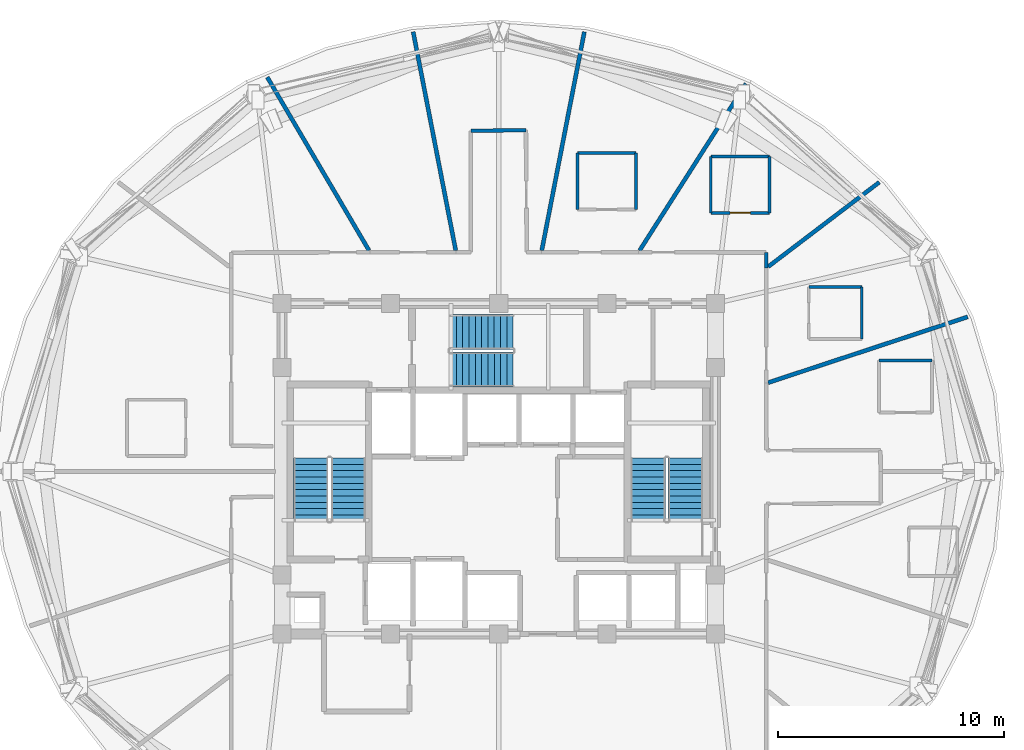
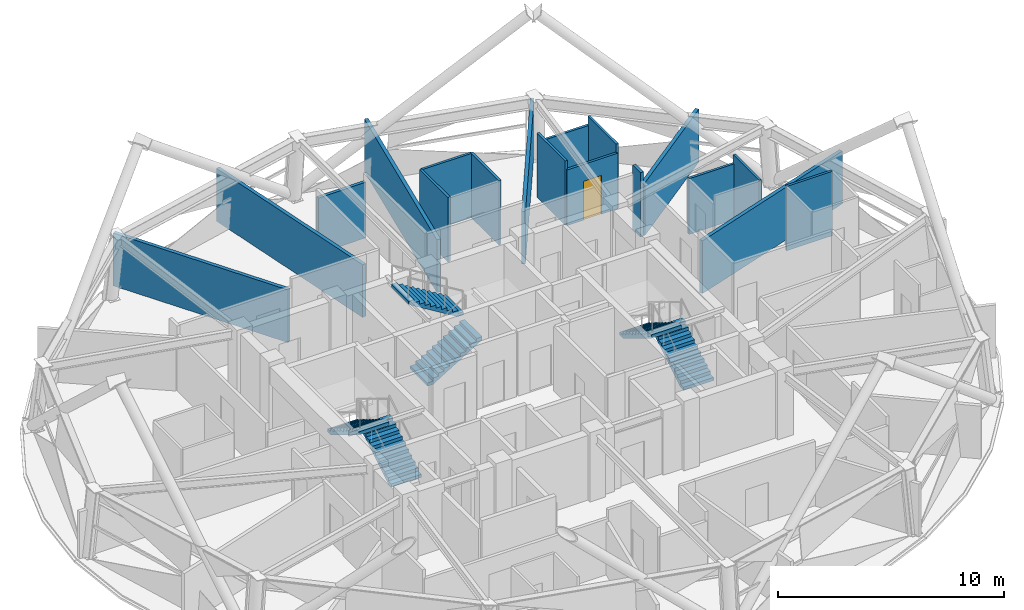
# One storey, part 8 of 12: 18 walls, 6 stair flights, 1 door, 1 opening, 3 elements without a shape of their own.
"""IFC4 building model written with IfcOpenShell, lengths in metres."""

from ifc_helpers import new_model, si_unit, direction, frame, frame_2d, origin, place, context, subcontext, project, spatial, polyline, rectangle, outline, extrude, material, layer, layer_set, type_object, element, fill, aggregate, save


model = new_model("IFC4")

# Units and contexts
model_context = context("Model", 3, precision=1e-05, world=origin(), true_north=direction((0.0, 1.0)))
body_context = subcontext(model_context, "Body", "Model", "MODEL_VIEW")
ifc_project = project(units=[si_unit("LENGTHUNIT", "METRE"), si_unit("AREAUNIT", "SQUARE_METRE"), si_unit("VOLUMEUNIT", "CUBIC_METRE"), si_unit("PLANEANGLEUNIT", "RADIAN"), si_unit("MASSUNIT", "GRAM", prefix="KILO")], contexts=[model_context])

# Site, building, storey
site_placement = place(None, origin())
site = spatial("IfcSite", under=ifc_project, at=site_placement, CompositionType="ELEMENT")
building_placement = place(site_placement, origin())
building = spatial("IfcBuilding", under=site, at=building_placement, Name="Vantalir Tower", CompositionType="ELEMENT")
storey_placement = place(building_placement, frame((0.0, 0.0, 249.89990234375)))
storey = spatial("IfcBuildingStorey", under=building, at=storey_placement, Name="L63", CompositionType="ELEMENT", Elevation=249.89990234375)

# Walls
ifc_material_1 = material(Name="Moisture-resistant en-suite partition", Category="gypsum")
ifc_layer_1 = layer(ifc_material_1, 0.125)
ifc_layer_set_1 = layer_set([ifc_layer_1], Name="Moisture-resistant en-suite partition")
wall_type_1 = type_object("IfcWallType", Name="WL-BATH-125", PredefinedType="PARTITIONING", material=ifc_layer_set_1)
wall_1_placement = place(storey_placement, frame((45.241943359375, 33.1689453125, 0.0), z_axis=(0.0, 0.0, 1.0), x_axis=(1.0, 0.0, 0.0)))
element("IfcWall", 1, at=wall_1_placement, inside=storey, type_object=wall_type_1, Name="L63 En-suite 01 North Wall", PredefinedType="PARTITIONING", context=body_context, shape_type="SweptSolid", body=[
    extrude(rectangle(XDim=2.35009765625, YDim=0.125, at=frame_2d((1.175048828125, 0.0))), origin(), (0.0, 0.0, 1.0), 3.01220703125),
])
wall_2_placement = place(storey_placement, frame((47.592041015625, 30.868896484375, 0.0), z_axis=(0.0, 0.0, 1.0), x_axis=(0.0, 1.0, 0.0)))
element("IfcWall", 2, at=wall_2_placement, inside=storey, type_object=wall_type_1, Name="L63 En-suite 01 East Wall", PredefinedType="PARTITIONING", context=body_context, shape_type="SweptSolid", body=[
    extrude(rectangle(XDim=2.300048828125, YDim=0.125, at=frame_2d((1.14990234375, 0.0))), origin(), (0.0, 0.0, 1.0), 3.47998046875),
])

# Wall, opening, door
wall_3_placement = place(storey_placement, frame((40.89892578125, 36.4609375, 0.0), z_axis=(0.0, 0.0, 1.0), x_axis=(1.0, 0.0, 0.0)))
wall_3 = element("IfcWall", 3, at=wall_3_placement, inside=storey, type_object=wall_type_1, Name="L63 En-suite 02 South Wall", PredefinedType="PARTITIONING", context=body_context, shape_type="SweptSolid", body=[
    extrude(rectangle(XDim=2.60009765625, YDim=0.125, at=frame_2d((1.300048828125, 0.0))), origin(), (0.0, 0.0, 1.0), 3.01220703125),
])
opening_placement = place(wall_3_placement, frame((0.85009765625, 0.0, 0.0)))
opening = element("IfcOpeningElement", 4, at=opening_placement, cuts=wall_3, Name="Opening D-WC", PredefinedType="OPENING", context=body_context, shape_type="SweptSolid", body=[
    extrude(rectangle(XDim=0.89990234375, YDim=2.10009765625, at=frame_2d((0.449951171875, 1.050048828125))), frame((0.0, 0.072509765625, 0.0), z_axis=(0.0, -1.0, 0.0), x_axis=(1.0, 0.0, 0.0)), (0.0, 0.0, 1.0), 0.14501953125),
])
ifc_material_2 = material(Name="Moisture-resistant hardwood door", Category="wood")
door_type = type_object("IfcDoorType", Name="DR-ENSUITE-900", OperationType="NOTDEFINED", PredefinedType="DOOR", material=ifc_material_2)
door_placement = place(opening_placement, origin())
door = element("IfcDoor", 5, at=door_placement, inside=storey, type_object=door_type, Name="L63 En-suite 02 Door", OperationType="SINGLE_SWING_RIGHT", OverallHeight=2.10009765625, OverallWidth=0.89990234375, PredefinedType="DOOR", context=body_context, shape_type="SweptSolid", body=[
    extrude(rectangle(XDim=0.89990234375, YDim=2.10009765625, at=frame_2d((0.449951171875, 1.050048828125))), frame((0.0, 0.02490234375, 0.0), z_axis=(0.0, -1.0, 0.0), x_axis=(1.0, 0.0, 0.0)), (0.0, 0.0, 1.0), 0.050048828125),
])
fill(opening, door)

# Walls
wall_4_placement = place(storey_placement, frame((40.89892578125, 38.9609375, 0.0), z_axis=(0.0, 0.0, 1.0), x_axis=(1.0, 0.0, 0.0)))
element("IfcWall", 6, at=wall_4_placement, inside=storey, type_object=wall_type_1, Name="L63 En-suite 02 North Wall", PredefinedType="PARTITIONING", context=body_context, shape_type="SweptSolid", body=[
    extrude(rectangle(XDim=2.60009765625, YDim=0.125, at=frame_2d((1.300048828125, 0.0))), origin(), (0.0, 0.0, 1.0), 3.01220703125),
])
for number, where, z_axis, x_axis, name in (
    (7, (40.89892578125, 36.4609375, 0.0), (0.0, 0.0, 1.0), (0.0, 1.0, 0.0), "L63 En-suite 02 West Wall"),
    (8, (43.4990234375, 36.4609375, 0.0), (0.0, 0.0, 1.0), (0.0, 1.0, 0.0), "L63 En-suite 02 East Wall"),
):
    element("IfcWall", number, at=place(storey_placement, frame(where, z_axis=z_axis, x_axis=x_axis)), inside=storey, type_object=wall_type_1, Name=name, PredefinedType="PARTITIONING", context=body_context, shape_type="SweptSolid", body=[
        extrude(rectangle(XDim=2.5, YDim=0.125, at=frame_2d((1.25, 0.0))), origin(), (0.0, 0.0, 1.0), 3.47998046875),
    ])
wall_5_placement = place(storey_placement, frame((34.989013671875, 39.110107421875, 0.0), z_axis=(0.0, 0.0, 1.0), x_axis=(1.0, 0.0, 0.0)))
element("IfcWall", 9, at=wall_5_placement, inside=storey, type_object=wall_type_1, Name="L63 En-suite 03 North Wall", PredefinedType="PARTITIONING", context=body_context, shape_type="SweptSolid", body=[
    extrude(rectangle(XDim=2.60009765625, YDim=0.125, at=frame_2d((1.300048828125, 0.0))), origin(), (0.0, 0.0, 1.0), 3.47998046875),
])
for number, where, z_axis, x_axis, name in (
    (10, (34.989013671875, 36.610107421875, 0.0), (0.0, 0.0, 1.0), (0.0, 1.0, 0.0), "L63 En-suite 03 West Wall"),
    (11, (37.589111328125, 36.610107421875, 0.0), (0.0, 0.0, 1.0), (0.0, 1.0, 0.0), "L63 En-suite 03 East Wall"),
):
    element("IfcWall", number, at=place(storey_placement, frame(where, z_axis=z_axis, x_axis=x_axis)), inside=storey, type_object=wall_type_1, Name=name, PredefinedType="PARTITIONING", context=body_context, shape_type="SweptSolid", body=[
        extrude(rectangle(XDim=2.5, YDim=0.125, at=frame_2d((1.25, 0.0))), origin(), (0.0, 0.0, 1.0), 3.47998046875),
    ])
wall_6_placement = place(storey_placement, frame((48.35400390625, 29.9130859375, 0.0), z_axis=(0.0, 0.0, 1.0), x_axis=(1.0, 0.0, 0.0)))
element("IfcWall", 12, at=wall_6_placement, inside=storey, type_object=wall_type_1, Name="L63 En-suite 16 North Wall", PredefinedType="PARTITIONING", context=body_context, shape_type="SweptSolid", body=[
    extrude(rectangle(XDim=2.35009765625, YDim=0.125, at=frame_2d((1.175048828125, 0.0))), origin(), (0.0, 0.0, 1.0), 3.47998046875),
])
ifc_material_3 = material(Name="Fire-rated hotel corridor acoustic partition", Category="gypsum")
ifc_layer_2 = layer(ifc_material_3, 0.159912109375)
ifc_layer_set_2 = layer_set([ifc_layer_2], Name="Fire-rated hotel corridor acoustic partition")
wall_type_2 = type_object("IfcWallType", Name="WL-CORR-160", PredefinedType="PARTITIONING", material=ifc_layer_set_2)
wall_7_placement = place(storey_placement, frame((30.262939453125, 40.097900390625, 0.0), z_axis=(0.0, 0.0, 1.0), x_axis=(0.999946948611, 0.010300483619, 0.0)))
element("IfcWall", 13, at=wall_7_placement, inside=storey, type_object=wall_type_2, Name="L63 Corridor Partition 08", PredefinedType="PARTITIONING", context=body_context, shape_type="SweptSolid", body=[
    extrude(rectangle(XDim=2.44140625, YDim=0.159912109375, at=frame_2d((1.220703125, 0.0))), origin(), (0.0, 0.0, 1.0), 3.01220703125),
])
wall_8_placement = place(storey_placement, frame((43.35302734375, 34.702880859375, 0.0), z_axis=(0.0, 0.0, 1.0), x_axis=(0.001405479989, -0.999999012313, 0.0)))
element("IfcWall", 14, at=wall_8_placement, inside=storey, type_object=wall_type_2, Name="L63 Corridor Partition 13", PredefinedType="PARTITIONING", context=body_context, shape_type="SweptSolid", body=[
    extrude(rectangle(XDim=0.69482421875, YDim=0.159912109375, at=frame_2d((0.347412109375, 0.0))), origin(), (0.0, 0.0, 1.0), 3.47998046875),
])
ifc_material_4 = material(Name="Twin-stud acoustic fire-rated gypsum partition", Category="gypsum")
ifc_layer_3 = layer(ifc_material_4, 0.179931640625)
ifc_layer_set_3 = layer_set([ifc_layer_3], Name="Twin-stud acoustic fire-rated gypsum partition")
wall_type_3 = type_object("IfcWallType", Name="WL-GUEST-180", PredefinedType="PARTITIONING", material=ifc_layer_set_3)
wall_9_placement = place(storey_placement, frame((43.43994140625, 28.93505859375, 0.0), z_axis=(0.0, 0.0, 1.0), x_axis=(0.949729147415, 0.313072749613, 0.0)))
element("IfcWall", 15, at=wall_9_placement, inside=storey, type_object=wall_type_3, Name="L63 Radial Suite Partition 01", PredefinedType="PARTITIONING", context=body_context, shape_type="SweptSolid", body=[
    extrude(rectangle(XDim=9.314208984375, YDim=0.179931640625, at=frame_2d((4.6572265625, 0.0))), origin(), (0.0, 0.0, 1.0), 2.85498046875),
])
wall_10_placement = place(storey_placement, frame((43.43994140625, 34.072998046875, 0.0), z_axis=(0.0, 0.0, 1.0), x_axis=(0.796115821465, 0.605144279336, 0.0)))
element("IfcWall", 16, at=wall_10_placement, inside=storey, type_object=wall_type_3, Name="L63 Radial Suite Partition 02", PredefinedType="PARTITIONING", context=body_context, shape_type="SweptSolid", body=[
    extrude(rectangle(XDim=6.188720703125, YDim=0.179931640625, at=frame_2d((3.09423828125, 0.0))), origin(), (0.0, 0.0, 1.0), 2.85498046875),
])
wall_11_placement = place(storey_placement, frame((37.740966796875, 34.7900390625, 0.0), z_axis=(0.0, 0.0, 1.0), x_axis=(0.537619190812, 0.843187764185, 0.0)))
element("IfcWall", 17, at=wall_11_placement, inside=storey, type_object=wall_type_3, Name="L63 Radial Suite Partition 03", PredefinedType="PARTITIONING", context=body_context, shape_type="SweptSolid", body=[
    extrude(rectangle(XDim=8.770263671875, YDim=0.179931640625, at=frame_2d((4.38525390625, 0.0))), origin(), (0.0, 0.0, 1.0), 2.85498046875),
])
for number, where, z_axis, x_axis, name in (
    (18, (33.406005859375, 34.7900390625, 0.0), (0.0, 0.0, 1.0), (0.191123016198, 0.981566091855, 0.0), "L63 Radial Suite Partition 04"),
    (19, (29.593994140625, 34.7900390625, 0.0), (0.0, 0.0, 1.0), (-0.191123016198, 0.981566091855, 0.0), "L63 Radial Suite Partition 05"),
):
    element("IfcWall", number, at=place(storey_placement, frame(where, z_axis=z_axis, x_axis=x_axis)), inside=storey, type_object=wall_type_3, Name=name, PredefinedType="PARTITIONING", context=body_context, shape_type="SweptSolid", body=[
        extrude(rectangle(XDim=9.878173828125, YDim=0.179931640625, at=frame_2d((4.93896484375, 0.0))), origin(), (0.0, 0.0, 1.0), 2.85498046875),
    ])
wall_12_placement = place(storey_placement, frame((25.751953125, 34.7900390625, 0.0), z_axis=(0.0, 0.0, 1.0), x_axis=(-0.50634586345, 0.8623304857, 0.0)))
element("IfcWall", 20, at=wall_12_placement, inside=storey, type_object=wall_type_3, Name="L63 Radial Suite Partition 06", PredefinedType="PARTITIONING", context=body_context, shape_type="SweptSolid", body=[
    extrude(rectangle(XDim=8.910888671875, YDim=0.179931640625, at=frame_2d((4.45556640625, 0.0))), origin(), (0.0, 0.0, 1.0), 2.85498046875),
])

# Stair, stair flights
ifc_material_5 = material(Name="Concrete C40/50", Category="concrete")
stair_type = type_object("IfcStairType", Name="STR-CORE-1450", PredefinedType="HALF_TURN_STAIR", material=ifc_material_5)
stair_1_placement = place(storey_placement, origin())
stair_1 = element("IfcStair", 21, at=stair_1_placement, inside=storey, type_object=stair_type, Name="L63 Core Exit Stair 1", PredefinedType="HALF_TURN_STAIR")
stair_flight_type = type_object("IfcStairFlightType", Name="FLT-CORE-1450", PredefinedType="STRAIGHT", material=ifc_material_5)
stair_flight_1_placement = place(storey_placement, frame((24.830078125, 22.7900390625, 0.0), z_axis=(0.0, 0.0, 1.0), x_axis=(0.0, 1.0, 0.0)))
stair_flight_1 = element("IfcStairFlight", 22, at=stair_flight_1_placement, type_object=stair_flight_type, Name="ST1 flight 1", NumberOfRisers=11, NumberOfTreads=10, PredefinedType="STRAIGHT", RiserHeight=0.170454545, TreadLength=0.28, context=body_context, shape_type="SweptSolid", body=[
    extrude(outline(polyline([(0.0, 0.0), (0.0, 0.17041015625), (0.280029296875, 0.17041015625), (0.280029296875, 0.3408203125), (0.56005859375, 0.3408203125), (0.56005859375, 0.511474609375), (0.840087890625, 0.511474609375), (0.840087890625, 0.681884765625), (1.1201171875, 0.681884765625), (1.1201171875, 0.852294921875), (1.39990234375, 0.852294921875), (1.39990234375, 1.022705078125), (1.679931640625, 1.022705078125), (1.679931640625, 1.193115234375), (1.9599609375, 1.193115234375), (1.9599609375, 1.363525390625), (2.239990234375, 1.363525390625), (2.239990234375, 1.5341796875), (2.52001953125, 1.5341796875), (2.52001953125, 1.70458984375), (2.800048828125, 1.70458984375), (2.800048828125, 1.875), (2.800048828125, 1.529052734375), (0.288330078125, 0.0), (0.0, 0.0)])), frame((0.0, 0.77001953125, 0.0), z_axis=(0.0, -1.0, 0.0), x_axis=(1.0, 0.0, 0.0)), (0.0, 0.0, 1.0), 1.5400390625),
])
stair_flight_2_placement = place(storey_placement, frame((23.169921875, 25.590087890625, 1.875), z_axis=(0.0, 0.0, 1.0), x_axis=(0.0, -1.0, 0.0)))
stair_flight_2 = element("IfcStairFlight", 23, at=stair_flight_2_placement, type_object=stair_flight_type, Name="ST1 flight 2", NumberOfRisers=11, NumberOfTreads=10, PredefinedType="STRAIGHT", RiserHeight=0.170454545, TreadLength=0.28, context=body_context, shape_type="SweptSolid", body=[
    extrude(outline(polyline([(0.0, 0.0), (0.0, 0.17041015625), (0.280029296875, 0.17041015625), (0.280029296875, 0.3408203125), (0.56005859375, 0.3408203125), (0.56005859375, 0.511474609375), (0.840087890625, 0.511474609375), (0.840087890625, 0.681884765625), (1.1201171875, 0.681884765625), (1.1201171875, 0.852294921875), (1.39990234375, 0.852294921875), (1.39990234375, 1.022705078125), (1.679931640625, 1.022705078125), (1.679931640625, 1.193115234375), (1.9599609375, 1.193115234375), (1.9599609375, 1.363525390625), (2.239990234375, 1.363525390625), (2.239990234375, 1.5341796875), (2.52001953125, 1.5341796875), (2.52001953125, 1.70458984375), (2.800048828125, 1.70458984375), (2.800048828125, 1.875), (2.800048828125, 1.529052734375), (0.288330078125, 0.0), (0.0, 0.0)])), frame((0.0, 0.77001953125, 0.0), z_axis=(0.0, -1.0, 0.0), x_axis=(1.0, 0.0, 0.0)), (0.0, 0.0, 1.0), 1.5400390625),
])
aggregate(stair_1, [stair_flight_1, stair_flight_2])

stair_2_placement = place(storey_placement, origin())
stair_2 = element("IfcStair", 24, at=stair_2_placement, inside=storey, type_object=stair_type, Name="L63 Core Exit Stair 2", PredefinedType="HALF_TURN_STAIR")
stair_flight_3_placement = place(storey_placement, frame((39.780029296875, 22.7900390625, 0.0), z_axis=(0.0, 0.0, 1.0), x_axis=(0.0, 1.0, 0.0)))
stair_flight_3 = element("IfcStairFlight", 25, at=stair_flight_3_placement, type_object=stair_flight_type, Name="ST2 flight 1", NumberOfRisers=11, NumberOfTreads=10, PredefinedType="STRAIGHT", RiserHeight=0.170454545, TreadLength=0.28, context=body_context, shape_type="SweptSolid", body=[
    extrude(outline(polyline([(0.0, 0.0), (0.0, 0.17041015625), (0.280029296875, 0.17041015625), (0.280029296875, 0.3408203125), (0.56005859375, 0.3408203125), (0.56005859375, 0.511474609375), (0.840087890625, 0.511474609375), (0.840087890625, 0.681884765625), (1.1201171875, 0.681884765625), (1.1201171875, 0.852294921875), (1.39990234375, 0.852294921875), (1.39990234375, 1.022705078125), (1.679931640625, 1.022705078125), (1.679931640625, 1.193115234375), (1.9599609375, 1.193115234375), (1.9599609375, 1.363525390625), (2.239990234375, 1.363525390625), (2.239990234375, 1.5341796875), (2.52001953125, 1.5341796875), (2.52001953125, 1.70458984375), (2.800048828125, 1.70458984375), (2.800048828125, 1.875), (2.800048828125, 1.529052734375), (0.288330078125, 0.0), (0.0, 0.0)])), frame((0.0, 0.77001953125, 0.0), z_axis=(0.0, -1.0, 0.0), x_axis=(1.0, 0.0, 0.0)), (0.0, 0.0, 1.0), 1.5400390625),
])
stair_flight_4_placement = place(storey_placement, frame((38.1201171875, 25.590087890625, 1.875), z_axis=(0.0, 0.0, 1.0), x_axis=(0.0, -1.0, 0.0)))
stair_flight_4 = element("IfcStairFlight", 26, at=stair_flight_4_placement, type_object=stair_flight_type, Name="ST2 flight 2", NumberOfRisers=11, NumberOfTreads=10, PredefinedType="STRAIGHT", RiserHeight=0.170454545, TreadLength=0.28, context=body_context, shape_type="SweptSolid", body=[
    extrude(outline(polyline([(0.0, 0.0), (0.0, 0.17041015625), (0.280029296875, 0.17041015625), (0.280029296875, 0.3408203125), (0.56005859375, 0.3408203125), (0.56005859375, 0.511474609375), (0.840087890625, 0.511474609375), (0.840087890625, 0.681884765625), (1.1201171875, 0.681884765625), (1.1201171875, 0.852294921875), (1.39990234375, 0.852294921875), (1.39990234375, 1.022705078125), (1.679931640625, 1.022705078125), (1.679931640625, 1.193115234375), (1.9599609375, 1.193115234375), (1.9599609375, 1.363525390625), (2.239990234375, 1.363525390625), (2.239990234375, 1.5341796875), (2.52001953125, 1.5341796875), (2.52001953125, 1.70458984375), (2.800048828125, 1.70458984375), (2.800048828125, 1.875), (2.800048828125, 1.529052734375), (0.288330078125, 0.0), (0.0, 0.0)])), frame((0.0, 0.77001953125, 0.0), z_axis=(0.0, -1.0, 0.0), x_axis=(1.0, 0.0, 0.0)), (0.0, 0.0, 1.0), 1.5400390625),
])
aggregate(stair_2, [stair_flight_3, stair_flight_4])

stair_3_placement = place(storey_placement, origin())
stair_3 = element("IfcStair", 27, at=stair_3_placement, inside=storey, type_object=stair_type, Name="L63 Core Exit Stair 3", PredefinedType="HALF_TURN_STAIR")
stair_flight_5_placement = place(storey_placement, frame((29.340087890625, 29.52001953125, 0.0), z_axis=(0.0, 0.0, 1.0), x_axis=(1.0, 0.0, 0.0)))
stair_flight_5 = element("IfcStairFlight", 28, at=stair_flight_5_placement, type_object=stair_flight_type, Name="ST3 flight 1", NumberOfRisers=11, NumberOfTreads=10, PredefinedType="STRAIGHT", RiserHeight=0.170454545, TreadLength=0.28, context=body_context, shape_type="SweptSolid", body=[
    extrude(outline(polyline([(0.0, 0.0), (0.0, 0.17041015625), (0.280029296875, 0.17041015625), (0.280029296875, 0.3408203125), (0.56005859375, 0.3408203125), (0.56005859375, 0.511474609375), (0.840087890625, 0.511474609375), (0.840087890625, 0.681884765625), (1.1201171875, 0.681884765625), (1.1201171875, 0.852294921875), (1.39990234375, 0.852294921875), (1.39990234375, 1.022705078125), (1.679931640625, 1.022705078125), (1.679931640625, 1.193115234375), (1.9599609375, 1.193115234375), (1.9599609375, 1.363525390625), (2.239990234375, 1.363525390625), (2.239990234375, 1.5341796875), (2.52001953125, 1.5341796875), (2.52001953125, 1.70458984375), (2.800048828125, 1.70458984375), (2.800048828125, 1.875), (2.800048828125, 1.529052734375), (0.288330078125, 0.0), (0.0, 0.0)])), frame((0.0, 0.77001953125, 0.0), z_axis=(0.0, -1.0, 0.0), x_axis=(1.0, 0.0, 0.0)), (0.0, 0.0, 1.0), 1.5400390625),
])
stair_flight_6_placement = place(storey_placement, frame((32.139892578125, 31.179931640625, 1.875), z_axis=(0.0, 0.0, 1.0), x_axis=(-1.0, 0.0, 0.0)))
stair_flight_6 = element("IfcStairFlight", 29, at=stair_flight_6_placement, type_object=stair_flight_type, Name="ST3 flight 2", NumberOfRisers=11, NumberOfTreads=10, PredefinedType="STRAIGHT", RiserHeight=0.170454545, TreadLength=0.28, context=body_context, shape_type="SweptSolid", body=[
    extrude(outline(polyline([(0.0, 0.0), (0.0, 0.17041015625), (0.280029296875, 0.17041015625), (0.280029296875, 0.3408203125), (0.56005859375, 0.3408203125), (0.56005859375, 0.511474609375), (0.840087890625, 0.511474609375), (0.840087890625, 0.681884765625), (1.1201171875, 0.681884765625), (1.1201171875, 0.852294921875), (1.39990234375, 0.852294921875), (1.39990234375, 1.022705078125), (1.679931640625, 1.022705078125), (1.679931640625, 1.193115234375), (1.9599609375, 1.193115234375), (1.9599609375, 1.363525390625), (2.239990234375, 1.363525390625), (2.239990234375, 1.5341796875), (2.52001953125, 1.5341796875), (2.52001953125, 1.70458984375), (2.800048828125, 1.70458984375), (2.800048828125, 1.875), (2.800048828125, 1.529052734375), (0.288330078125, 0.0), (0.0, 0.0)])), frame((0.0, 0.77001953125, 0.0), z_axis=(0.0, -1.0, 0.0), x_axis=(1.0, 0.0, 0.0)), (0.0, 0.0, 1.0), 1.5400390625),
])
aggregate(stair_3, [stair_flight_5, stair_flight_6])

save(model, "model.ifc")
